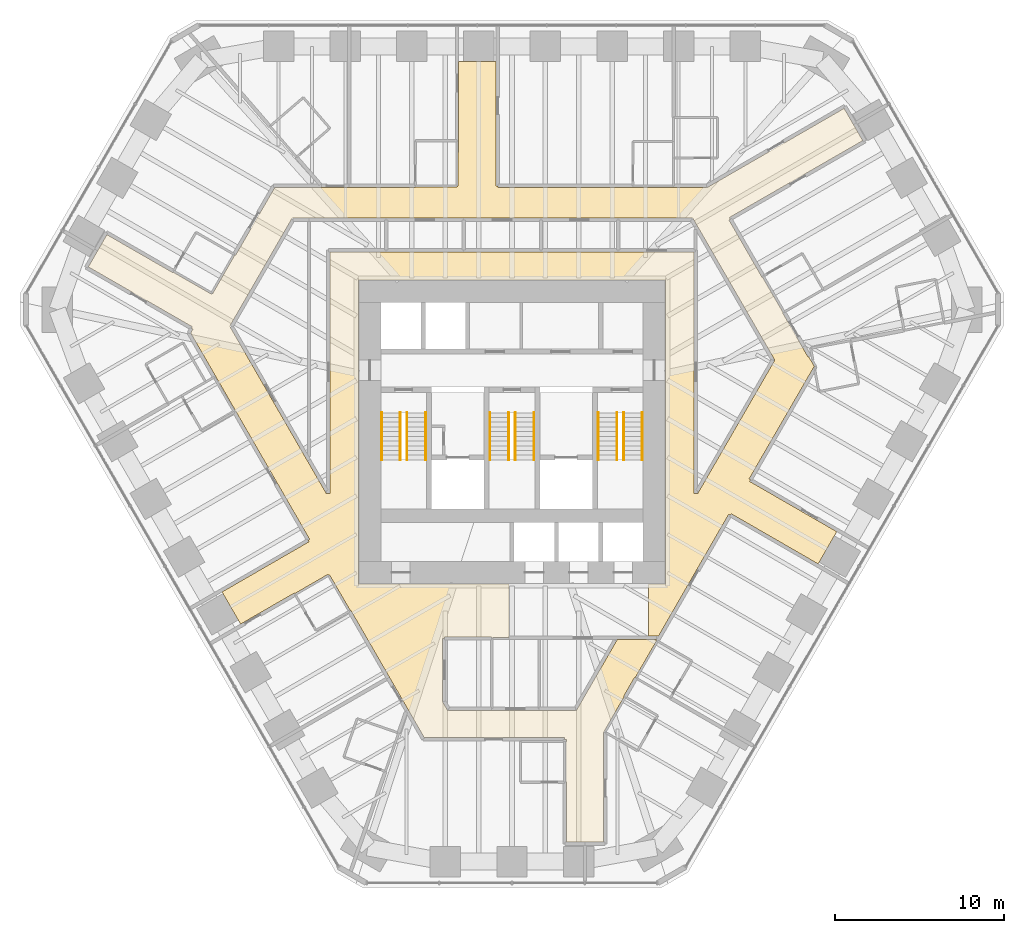
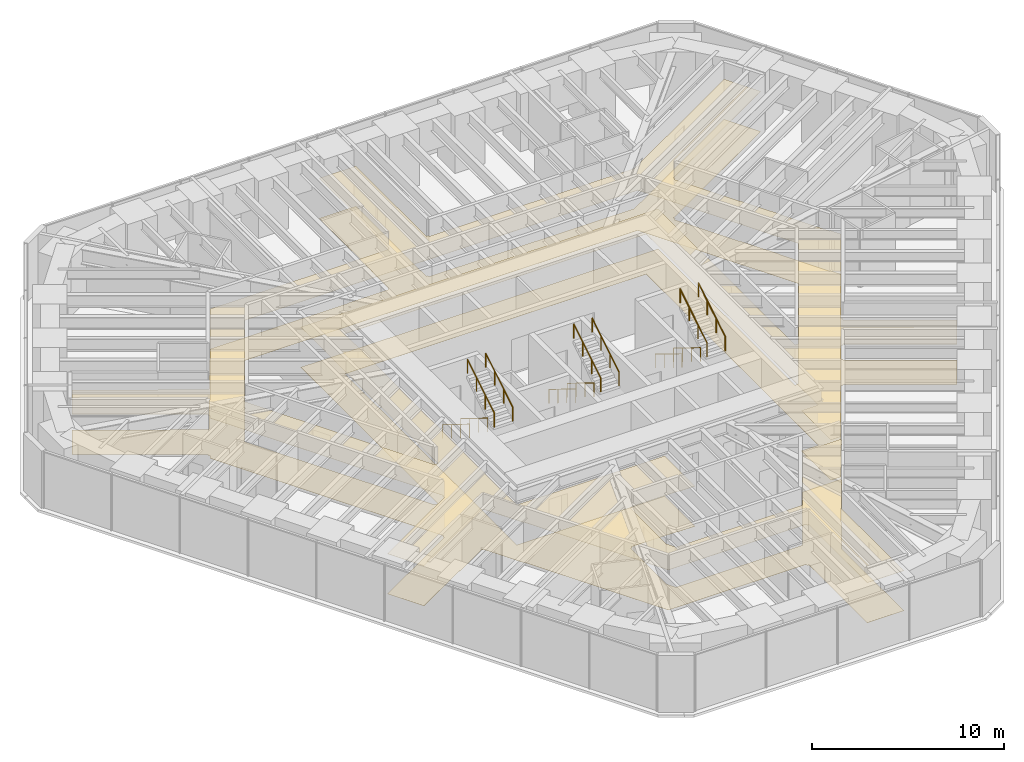
# One storey, part 17 of 17: 12 railings, 2 coverings.
"""IFC4 building model written with IfcOpenShell, lengths in metres."""

import ifcopenshell
import ifcopenshell.guid

model = None  # the IFC model being written
_history = None  # IfcOwnerHistory: only IFC2X3 demands one
_inside = {}  # id of a spatial element -> (the spatial element, [elements in it])
_under = {}  # id of a project, library or spatial element -> (it, [spatial elements below it])
_declared = {}  # id of a project -> (the project, [libraries it declares])
_typed = {}  # id of a type object -> (the type object, [elements of that type])
_made_of = {}  # id of a material, layer set ... -> (it, [elements and type objects made of it])


def new_model(schema):
    """Start an empty IFC model of exactly this schema.

    Asked for "IFC4X3", IfcOpenShell would pick the latest addendum, in which some entities
    have other attributes; the version numbers below select the first issue.
    IFC2X3 requires an IfcOwnerHistory on every rooted entity: one is made here for all.
    """
    global model, _history
    if schema == "IFC4X3":
        model = ifcopenshell.file(schema_version=(4, 3, 0, 0))
    else:
        model = ifcopenshell.file(schema=schema)
    _inside.clear()
    _under.clear()
    _declared.clear()
    _typed.clear()
    _made_of.clear()
    _history = None
    if model.schema == "IFC2X3":
        org = make("IfcOrganization", Name="unknown")
        user = make(
            "IfcPersonAndOrganization",
            ThePerson=make("IfcPerson", FamilyName="unknown"),
            TheOrganization=org,
        )
        app = make(
            "IfcApplication",
            ApplicationDeveloper=org,
            Version="unknown",
            ApplicationFullName="unknown",
            ApplicationIdentifier="unknown",
        )
        _history = make(
            "IfcOwnerHistory",
            OwningUser=user,
            OwningApplication=app,
            ChangeAction="ADDED",
            CreationDate=0,
        )
    return model


def make(cls, **values):
    """One entity of the class cls with the attributes given. An attribute that is None is left unset."""
    return model.create_entity(
        cls, **{name: value for name, value in values.items() if value is not None}
    )


def rooted(cls, **values):
    """An entity with a GlobalId (a new one), such as an element, a storey or a relation."""
    return make(cls, GlobalId=ifcopenshell.guid.new(), OwnerHistory=_history, **values)


def si_unit(unit_type, name, prefix=None):
    """IfcSIUnit, for example si_unit("LENGTHUNIT", "METRE", prefix="MILLI")."""
    return make("IfcSIUnit", UnitType=unit_type, Prefix=prefix, Name=name)


def assignment(units):
    """IfcUnitAssignment: the units of a project."""
    return None if units is None else make("IfcUnitAssignment", Units=units)


def point(xyz):
    """IfcCartesianPoint."""
    return None if xyz is None else make("IfcCartesianPoint", Coordinates=xyz)


def direction(xyz):
    """IfcDirection."""
    return None if xyz is None else make("IfcDirection", DirectionRatios=xyz)


def frame(location, z_axis=None, x_axis=None):
    """IfcAxis2Placement3D, a coordinate frame: its origin and axes. An axis left out is left unset."""
    return make(
        "IfcAxis2Placement3D",
        Location=point(location),
        Axis=direction(z_axis),
        RefDirection=direction(x_axis),
    )


def frame_2d(location, x_axis=None):
    """IfcAxis2Placement2D, a coordinate frame in the plane: its origin and x axis."""
    return make(
        "IfcAxis2Placement2D", Location=point(location), RefDirection=direction(x_axis)
    )


def origin():
    """The frame at (0, 0, 0) with its axes left unset."""
    return frame((0.0, 0.0, 0.0))


def origin_2d():
    """The frame at (0, 0) in the plane with its x axis left unset."""
    return frame_2d((0.0, 0.0))


def place(relative_to, where):
    """IfcLocalPlacement: puts the frame where relative to a parent placement (None: the world)."""
    return make(
        "IfcLocalPlacement", PlacementRelTo=relative_to, RelativePlacement=where
    )


def context(
    kind, dimensions, precision=None, world=None, true_north=None, identifier=None
):
    """IfcGeometricRepresentationContext, for example the 3D "Model" context."""
    return make(
        "IfcGeometricRepresentationContext",
        ContextIdentifier=identifier,
        ContextType=kind,
        CoordinateSpaceDimension=dimensions,
        Precision=precision,
        WorldCoordinateSystem=world,
        TrueNorth=true_north,
    )


def subcontext(parent, identifier, kind, view, scale=None):
    """IfcGeometricRepresentationSubContext, for example "Body" below "Model"."""
    return make(
        "IfcGeometricRepresentationSubContext",
        ContextIdentifier=identifier,
        ContextType=kind,
        ParentContext=parent,
        TargetScale=scale,
        TargetView=view,
    )


def project(units=None, contexts=None):
    """IfcProject with its units and contexts."""
    return rooted(
        "IfcProject",
        Name="project",
        RepresentationContexts=contexts,
        UnitsInContext=assignment(units),
    )


def spatial(cls, under=None, at=None, **own):
    """A site, building, storey or space (cls), placed at a placement, below another one or the project."""
    s = rooted(cls, ObjectPlacement=at, **own)
    if under is not None:
        _under.setdefault(under.id(), (under, []))[1].append(s)
    return s


def polyline(points):
    """IfcPolyline through the points."""
    return make("IfcPolyline", Points=[point(p) for p in points])


def profile(cls, at=None, kind="AREA", **sizes):
    """A parametric profile (cls). Its sizes go by their IFC names, for example OverallWidth=200.0."""
    return make(cls, ProfileType=kind, Position=at, **sizes)


def circle(**sizes):
    """IfcCircleProfileDef."""
    return profile("IfcCircleProfileDef", **sizes)


def outline(outer, holes=None, kind="AREA"):
    """IfcArbitraryClosedProfileDef: a profile drawn as a closed curve; with holes, ...WithVoids."""
    if holes is None:
        return make("IfcArbitraryClosedProfileDef", ProfileType=kind, OuterCurve=outer)
    return make(
        "IfcArbitraryProfileDefWithVoids",
        ProfileType=kind,
        OuterCurve=outer,
        InnerCurves=holes,
    )


def extrude(swept, where, along, depth):
    """IfcExtrudedAreaSolid: the profile swept, set in the frame where, extruded along a direction by depth."""
    return make(
        "IfcExtrudedAreaSolid",
        SweptArea=swept,
        Position=where,
        ExtrudedDirection=direction(along),
        Depth=depth,
    )


def shape(context_of_items, identifier, shape_type, items):
    """IfcShapeRepresentation: the items that make up one representation, for example the "Body"."""
    return make(
        "IfcShapeRepresentation",
        ContextOfItems=context_of_items,
        RepresentationIdentifier=identifier,
        RepresentationType=shape_type,
        Items=items,
    )


def material(Name=None, Category=None):
    """IfcMaterial."""
    return make("IfcMaterial", Name=Name, Category=Category)


def layer(
    of_material, thickness, ventilated=None, Name=None, Category=None, Priority=None
):
    """IfcMaterialLayer: one layer of a wall or slab, of a material (None: an air gap)."""
    return make(
        "IfcMaterialLayer",
        Material=of_material,
        LayerThickness=thickness,
        IsVentilated=ventilated,
        Name=Name,
        Category=Category,
        Priority=Priority,
    )


def layer_set(layers, Name=None):
    """IfcMaterialLayerSet."""
    return make("IfcMaterialLayerSet", MaterialLayers=layers, LayerSetName=Name)


def made_of(thing, what):
    """Note that an element or type object is made of a material, layer set ...; save() writes the relation."""
    if what is not None:
        _made_of.setdefault(what.id(), (what, []))[1].append(thing)
    return thing


def type_object(cls, material=None, **own):
    """A type object (cls), such as IfcWallType, which elements share."""
    return made_of(rooted(cls, **own), material)


def element(
    cls,
    number,
    at=None,
    inside=None,
    cuts=None,
    type_object=None,
    material=None,
    context=None,
    identifier="Body",
    shape_type=None,
    held_by="IfcProductDefinitionShape",
    body=None,
    shapes=None,
    **own,
):
    """One element of the class cls, such as IfcWall. Its Tag is "e" and its number.

    at: its placement. inside: the storey or other place that contains it. cuts: it is an
    opening in that element (IfcRelVoidsElement). A single representation is given by context,
    identifier, shape_type and body (its items); several are given by shapes. held_by: the class
    of the entity that holds the representations. save() writes the other relations.
    """
    e = rooted(cls, Tag="e%d" % number, ObjectPlacement=at, **own)
    if body is not None:
        shapes = [shape(context, identifier, shape_type, body)]
    if shapes is not None:
        e.Representation = make(held_by, Representations=shapes)
    if inside is not None:
        _inside.setdefault(inside.id(), (inside, []))[1].append(e)
    if cuts is not None:
        rooted(
            "IfcRelVoidsElement", RelatingBuildingElement=cuts, RelatedOpeningElement=e
        )
    if type_object is not None:
        _typed.setdefault(type_object.id(), (type_object, []))[1].append(e)
    return made_of(e, material)


def aggregate(whole, parts):
    """IfcRelAggregates: a whole, such as a stair, and the parts it consists of."""
    return rooted("IfcRelAggregates", RelatingObject=whole, RelatedObjects=parts)


def save(model, path):
    """Write the relations noted so far, then the file.

    IfcRelAggregates (storeys below a building ...), IfcRelContainedInSpatialStructure (elements
    in a storey), IfcRelDefinesByType, IfcRelAssociatesMaterial and IfcRelDeclares: one each for
    every whole, place, type object, material and project.
    """
    for whole, parts in _under.values():
        aggregate(whole, parts)
    for where, things in _inside.values():
        rooted(
            "IfcRelContainedInSpatialStructure",
            RelatedElements=things,
            RelatingStructure=where,
        )
    for kind, things in _typed.values():
        rooted("IfcRelDefinesByType", RelatedObjects=things, RelatingType=kind)
    for what, things in _made_of.values():
        rooted("IfcRelAssociatesMaterial", RelatedObjects=things, RelatingMaterial=what)
    for by, libraries in _declared.values():
        rooted("IfcRelDeclares", RelatingContext=by, RelatedDefinitions=libraries)
    model.write(path)


model = new_model("IFC4")

# Units and contexts
model_context = context("Model", 3, precision=1e-05, world=origin(), true_north=direction((0.0, 1.0)))
body_context = subcontext(model_context, "Body", "Model", "MODEL_VIEW")
ifc_project = project(units=[si_unit("LENGTHUNIT", "METRE"), si_unit("AREAUNIT", "SQUARE_METRE"), si_unit("VOLUMEUNIT", "CUBIC_METRE"), si_unit("PLANEANGLEUNIT", "RADIAN"), si_unit("MASSUNIT", "GRAM", prefix="KILO")], contexts=[model_context])

# Site, building, storey
site_placement = place(None, origin())
site = spatial("IfcSite", under=ifc_project, at=site_placement, CompositionType="ELEMENT")
building_placement = place(site_placement, origin())
building = spatial("IfcBuilding", under=site, at=building_placement, Name="Sandreach Pilgrim Tower", CompositionType="ELEMENT")
storey_placement = place(building_placement, frame((0.0, 0.0, 146.199951171875)))
storey = spatial("IfcBuildingStorey", under=building, at=storey_placement, Name="L36", CompositionType="ELEMENT", Elevation=146.199951171875)

# Coverings
ifc_material_1 = material(Name="Nylon carpet tile on the slab", Category="textile")
ifc_layer_1 = layer(ifc_material_1, 0.008056640625)
ifc_layer_set_1 = layer_set([ifc_layer_1], Name="Carpet tile")
covering_type_1 = type_object("IfcCoveringType", Name="Carpet tile", PredefinedType="FLOORING", material=ifc_layer_set_1)
covering_1_placement = place(storey_placement, origin())
element("IfcCovering", 1, at=covering_1_placement, inside=storey, type_object=covering_type_1, Name="Floor finish 36C Corridor 36", PredefinedType="FLOORING", context=body_context, shape_type="SweptSolid", body=[
    extrude(outline(polyline([(-25.033447265625, 8.206787109375), (-23.933349609375, 10.113525390625), (-20.04150390625, 7.870849609375), (-20.02880859375, 7.892578125), (-17.751708984375, 6.597412109375), (-17.72119140625, 6.649169921875), (-17.68798828125, 6.6298828125), (-16.37353515625, 8.923095703125), (-16.330322265625, 8.898193359375), (-14.022216796875, 12.889892578125), (-5.699951171875, 12.889892578125), (-5.699951171875, 12.9208984375), (-3.25, 12.929931640625), (-3.247802734375, 12.989990234375), (-3.18994140625, 12.989990234375), (-3.18994140625, 14.568115234375), (-3.14990234375, 15.659912109375), (-3.14990234375, 20.333740234375), (-0.949951171875, 20.333740234375), (-0.949951171875, 12.989990234375), (-0.840087890625, 12.989990234375), (-0.840087890625, 12.889892578125), (11.516845703125, 12.889892578125), (19.623291015625, 17.5732421875), (20.723388671875, 15.666748046875), (12.85009765625, 11.126708984375), (12.907470703125, 11.027099609375), (12.82080078125, 10.97705078125), (14.763427734375, 7.610107421875), (14.779052734375, 7.619140625), (16.013916015625, 5.501708984375), (15.991943359375, 5.489013671875), (17.48974609375, 2.88232421875), (17.52880859375, 2.904052734375), (17.8603515625, 2.335693359375), (14.010986328125, -4.31689453125), (14.097412109375, -4.366943359375), (14.0400390625, -4.466552734375), (19.1865234375, -7.435791015625), (18.085693359375, -9.342041015625), (12.952880859375, -6.380859375), (12.904541015625, -6.46484375), (12.803466796875, -6.41015625), (8.657470703125, -13.60009765625), (8.050048828125, -13.60009765625), (8.050048828125, -10.52001953125), (9.070068359375, -10.52001953125), (9.070068359375, 7.419921875), (-9.070068359375, 7.419921875), (-9.070068359375, -10.52001953125), (-0.175048828125, -10.52001953125), (-0.175048828125, -13.68994140625), (-1.199951171875, -13.67919921875), (-1.199951171875, -13.64990234375), (-3.989990234375, -13.64990234375), (-3.989990234375, -13.75), (-4.10009765625, -13.75), (-4.10009765625, -17.487060546875), (-3.8076171875, -17.989990234375), (3.8076171875, -17.989990234375), (6.2265625, -13.800048828125), (8.542236328125, -13.800048828125), (8.513427734375, -13.85009765625), (8.548095703125, -13.8701171875), (7.279541015625, -16.06103515625), (7.243408203125, -16.0400390625), (6.603271484375, -17.150146484375), (6.6376953125, -17.169677734375), (5.409912109375, -19.2900390625), (5.409912109375, -25.780029296875), (3.2099609375, -25.780029296875), (3.2099609375, -19.699951171875), (3.110107421875, -19.699951171875), (3.110107421875, -19.590087890625), (-5.192138671875, -19.590087890625), (-9.5234375, -12.090087890625), (-9.55029296875, -12.10546875), (-10.7880859375, -9.97998046875), (-10.840576171875, -10.009033203125), (-10.8701171875, -9.9580078125), (-12.840087890625, -11.09814453125), (-12.85986328125, -11.0634765625), (-16.033935546875, -12.89599609375), (-17.130615234375, -10.99658203125), (-12.0029296875, -8.0341796875), (-12.052978515625, -7.947509765625), (-11.953369140625, -7.89013671875), (-18.98486328125, 4.300048828125), (-18.858154296875, 4.521728515625), (-18.945068359375, 4.5712890625), (-18.89013671875, 4.666748046875), (-25.033447265625, 8.206787109375)]), holes=[polyline([(-10.96533203125, -5.18994140625), (-10.75, -5.18994140625), (-10.75, 9.10009765625), (10.75, 9.10009765625), (10.75, -5.18994140625), (10.965576171875, -5.18994140625), (15.525390625, 2.699951171875), (10.677734375, 11.090087890625), (-12.98779296875, 11.090087890625), (-16.675537109375, 4.699951171875), (-10.96533203125, -5.18994140625)])]), origin(), (0.0, 0.0, 1.0), 0.008056640625),
])
ifc_material_2 = material(Name="Gypsum board suspended ceiling on a steel grid", Category="steel")
ifc_layer_2 = layer(ifc_material_2, 0.012939453125)
ifc_layer_set_2 = layer_set([ifc_layer_2], Name="Gypsum board suspended ceiling")
covering_type_2 = type_object("IfcCoveringType", Name="Gypsum board suspended ceiling", PredefinedType="CEILING", material=ifc_layer_set_2)
covering_2_placement = place(storey_placement, frame((0.0, 0.0, 2.550048828125)))
element("IfcCovering", 2, at=covering_2_placement, inside=storey, type_object=covering_type_2, Name="Ceiling 36C Corridor 36", PredefinedType="CEILING", context=body_context, shape_type="SweptSolid", body=[
    extrude(outline(polyline([(-17.751708984375, 6.597412109375), (-17.72119140625, 6.649169921875), (-17.68798828125, 6.6298828125), (-16.364990234375, 8.918212890625), (-16.330322265625, 8.898193359375), (-14.022216796875, 12.889892578125), (-5.699951171875, 12.889892578125), (-5.699951171875, 12.9208984375), (-3.25, 12.929931640625), (-3.247802734375, 12.989990234375), (-3.18994140625, 12.989990234375), (-3.18994140625, 14.568115234375), (-3.14990234375, 15.659912109375), (-3.14990234375, 20.333740234375), (-0.949951171875, 20.333740234375), (-0.949951171875, 12.989990234375), (-0.840087890625, 12.989990234375), (-0.840087890625, 12.889892578125), (11.516845703125, 12.889892578125), (19.623291015625, 17.5732421875), (20.723388671875, 15.666748046875), (12.85009765625, 11.126708984375), (12.907470703125, 11.027099609375), (12.82080078125, 10.97705078125), (14.763427734375, 7.610107421875), (14.779052734375, 7.619140625), (16.013916015625, 5.501708984375), (15.991943359375, 5.489013671875), (17.48974609375, 2.88232421875), (17.52880859375, 2.904052734375), (17.8603515625, 2.335693359375), (14.010986328125, -4.31689453125), (14.097412109375, -4.366943359375), (14.0400390625, -4.466552734375), (19.1865234375, -7.435791015625), (18.085693359375, -9.342041015625), (12.952880859375, -6.380859375), (12.904541015625, -6.46484375), (12.803466796875, -6.41015625), (8.657470703125, -13.60009765625), (8.050048828125, -13.60009765625), (8.050048828125, -10.52001953125), (9.070068359375, -10.52001953125), (9.070068359375, 7.419921875), (-9.070068359375, 7.419921875), (-9.070068359375, -10.52001953125), (-0.175048828125, -10.52001953125), (-0.175048828125, -13.68994140625), (-1.199951171875, -13.67919921875), (-1.199951171875, -13.64990234375), (-3.989990234375, -13.64990234375), (-3.989990234375, -13.75), (-4.10009765625, -13.75), (-4.10009765625, -17.487060546875), (-3.8076171875, -17.989990234375), (3.8076171875, -17.989990234375), (6.2265625, -13.800048828125), (8.542236328125, -13.800048828125), (8.513427734375, -13.85009765625), (8.548095703125, -13.8701171875), (7.279541015625, -16.06103515625), (7.243408203125, -16.0400390625), (6.603271484375, -17.150146484375), (6.6376953125, -17.169677734375), (5.409912109375, -19.2900390625), (5.409912109375, -25.780029296875), (3.2099609375, -25.780029296875), (3.2099609375, -19.699951171875), (3.110107421875, -19.699951171875), (3.110107421875, -19.590087890625), (-5.192138671875, -19.590087890625), (-9.5234375, -12.090087890625), (-9.55029296875, -12.10546875), (-10.7880859375, -9.97998046875), (-10.840576171875, -10.009033203125), (-10.8701171875, -9.9580078125), (-12.840087890625, -11.09814453125), (-12.85986328125, -11.0634765625), (-16.033935546875, -12.89599609375), (-17.130615234375, -10.99658203125), (-12.0029296875, -8.0341796875), (-12.052978515625, -7.947509765625), (-11.953369140625, -7.89013671875), (-18.98486328125, 4.300048828125), (-18.858154296875, 4.521728515625), (-18.945068359375, 4.5712890625), (-18.89013671875, 4.666748046875), (-25.033447265625, 8.206787109375), (-23.933349609375, 10.113525390625), (-20.04150390625, 7.870849609375), (-20.02880859375, 7.892578125), (-17.751708984375, 6.597412109375)]), holes=[polyline([(-10.96533203125, -5.18994140625), (-10.75, -5.18994140625), (-10.75, 9.10009765625), (10.75, 9.10009765625), (10.75, -5.18994140625), (10.965576171875, -5.18994140625), (15.525390625, 2.699951171875), (10.677734375, 11.090087890625), (-12.98779296875, 11.090087890625), (-16.675537109375, 4.699951171875), (-10.96533203125, -5.18994140625)])]), origin(), (0.0, 0.0, 1.0), 0.012939453125),
])

# Railings
ifc_material_3 = material(Name="Stainless steel tube", Category="steel")
railing_type = type_object("IfcRailingType", Name="Stair handrail", PredefinedType="HANDRAIL", material=ifc_material_3)
for number, where, name in (
    (3, (-6.60009765625, -0.39990234375, 0.1728515625), "Handrail ST1 L36 flight 1"),
    (4, (-7.699951171875, -0.39990234375, 0.1728515625), "Handrail ST1 L36 flight 1"),
):
    element("IfcRailing", number, at=place(storey_placement, frame(where)), inside=storey, type_object=railing_type, Name=name, PredefinedType="HANDRAIL", context=body_context, shape_type="SweptSolid", body=[
        extrude(circle(Radius=0.02392578125, at=origin_2d()), frame((0.0, 0.0, 0.8759765625), z_axis=(0.0, -0.851089632645, 0.525020415988), x_axis=(1.0, 0.0, 0.0)), (0.0, 0.0, 1.0), 3.2900390625),
        extrude(circle(Radius=0.02099609375, at=origin_2d()), origin(), (0.0, 0.0, 1.0), 0.851806640625),
        extrude(circle(Radius=0.02099609375, at=origin_2d()), frame((0.0, -0.933349609375, 0.57568359375)), (0.0, 0.0, 1.0), 0.851806640625),
        extrude(circle(Radius=0.02099609375, at=origin_2d()), frame((0.0, -1.86669921875, 1.151611328125)), (0.0, 0.0, 1.0), 0.851806640625),
        extrude(circle(Radius=0.02099609375, at=origin_2d()), frame((0.0, -2.800048828125, 1.727294921875)), (0.0, 0.0, 1.0), 0.851806640625),
    ])
for number, where, name in (
    (5, (-6.199951171875, -3.199951171875, 2.07275390625), "Handrail ST1 L36 flight 2"),
    (6, (-5.10009765625, -3.199951171875, 2.07275390625), "Handrail ST1 L36 flight 2"),
):
    element("IfcRailing", number, at=place(storey_placement, frame(where)), inside=storey, type_object=railing_type, Name=name, PredefinedType="HANDRAIL", context=body_context, shape_type="SweptSolid", body=[
        extrude(circle(Radius=0.02392578125, at=origin_2d()), frame((0.0, 0.0, 0.8759765625), z_axis=(0.0, 0.851089632645, 0.525020415988), x_axis=(-1.0, 0.0, 0.0)), (0.0, 0.0, 1.0), 3.2900390625),
        extrude(circle(Radius=0.02099609375, at=origin_2d()), origin(), (0.0, 0.0, 1.0), 0.851806640625),
        extrude(circle(Radius=0.02099609375, at=origin_2d()), frame((0.0, 0.933349609375, 0.57568359375)), (0.0, 0.0, 1.0), 0.851806640625),
        extrude(circle(Radius=0.02099609375, at=origin_2d()), frame((0.0, 1.86669921875, 1.151611328125)), (0.0, 0.0, 1.0), 0.851806640625),
        extrude(circle(Radius=0.02099609375, at=origin_2d()), frame((0.0, 2.800048828125, 1.727294921875)), (0.0, 0.0, 1.0), 0.851806640625),
    ])
for number, where, name in (
    (7, (-0.199951171875, -0.39990234375, 0.1728515625), "Handrail ST3 L36 flight 1"),
    (8, (-1.300048828125, -0.39990234375, 0.1728515625), "Handrail ST3 L36 flight 1"),
):
    element("IfcRailing", number, at=place(storey_placement, frame(where)), inside=storey, type_object=railing_type, Name=name, PredefinedType="HANDRAIL", context=body_context, shape_type="SweptSolid", body=[
        extrude(circle(Radius=0.02392578125, at=origin_2d()), frame((0.0, 0.0, 0.8759765625), z_axis=(0.0, -0.851089632645, 0.525020415988), x_axis=(1.0, 0.0, 0.0)), (0.0, 0.0, 1.0), 3.2900390625),
        extrude(circle(Radius=0.02099609375, at=origin_2d()), origin(), (0.0, 0.0, 1.0), 0.851806640625),
        extrude(circle(Radius=0.02099609375, at=origin_2d()), frame((0.0, -0.933349609375, 0.57568359375)), (0.0, 0.0, 1.0), 0.851806640625),
        extrude(circle(Radius=0.02099609375, at=origin_2d()), frame((0.0, -1.86669921875, 1.151611328125)), (0.0, 0.0, 1.0), 0.851806640625),
        extrude(circle(Radius=0.02099609375, at=origin_2d()), frame((0.0, -2.800048828125, 1.727294921875)), (0.0, 0.0, 1.0), 0.851806640625),
    ])
for number, where, name in (
    (9, (0.199951171875, -3.199951171875, 2.07275390625), "Handrail ST3 L36 flight 2"),
    (10, (1.300048828125, -3.199951171875, 2.07275390625), "Handrail ST3 L36 flight 2"),
):
    element("IfcRailing", number, at=place(storey_placement, frame(where)), inside=storey, type_object=railing_type, Name=name, PredefinedType="HANDRAIL", context=body_context, shape_type="SweptSolid", body=[
        extrude(circle(Radius=0.02392578125, at=origin_2d()), frame((0.0, 0.0, 0.8759765625), z_axis=(0.0, 0.851089632645, 0.525020415988), x_axis=(-1.0, 0.0, 0.0)), (0.0, 0.0, 1.0), 3.2900390625),
        extrude(circle(Radius=0.02099609375, at=origin_2d()), origin(), (0.0, 0.0, 1.0), 0.851806640625),
        extrude(circle(Radius=0.02099609375, at=origin_2d()), frame((0.0, 0.933349609375, 0.57568359375)), (0.0, 0.0, 1.0), 0.851806640625),
        extrude(circle(Radius=0.02099609375, at=origin_2d()), frame((0.0, 1.86669921875, 1.151611328125)), (0.0, 0.0, 1.0), 0.851806640625),
        extrude(circle(Radius=0.02099609375, at=origin_2d()), frame((0.0, 2.800048828125, 1.727294921875)), (0.0, 0.0, 1.0), 0.851806640625),
    ])
for number, where, name in (
    (11, (6.199951171875, -0.39990234375, 0.1728515625), "Handrail ST2 L36 flight 1"),
    (12, (5.10009765625, -0.39990234375, 0.1728515625), "Handrail ST2 L36 flight 1"),
):
    element("IfcRailing", number, at=place(storey_placement, frame(where)), inside=storey, type_object=railing_type, Name=name, PredefinedType="HANDRAIL", context=body_context, shape_type="SweptSolid", body=[
        extrude(circle(Radius=0.02392578125, at=origin_2d()), frame((0.0, 0.0, 0.8759765625), z_axis=(0.0, -0.851089632645, 0.525020415988), x_axis=(1.0, 0.0, 0.0)), (0.0, 0.0, 1.0), 3.2900390625),
        extrude(circle(Radius=0.02099609375, at=origin_2d()), origin(), (0.0, 0.0, 1.0), 0.851806640625),
        extrude(circle(Radius=0.02099609375, at=origin_2d()), frame((0.0, -0.933349609375, 0.57568359375)), (0.0, 0.0, 1.0), 0.851806640625),
        extrude(circle(Radius=0.02099609375, at=origin_2d()), frame((0.0, -1.86669921875, 1.151611328125)), (0.0, 0.0, 1.0), 0.851806640625),
        extrude(circle(Radius=0.02099609375, at=origin_2d()), frame((0.0, -2.800048828125, 1.727294921875)), (0.0, 0.0, 1.0), 0.851806640625),
    ])
for number, where, name in (
    (13, (6.60009765625, -3.199951171875, 2.07275390625), "Handrail ST2 L36 flight 2"),
    (14, (7.699951171875, -3.199951171875, 2.07275390625), "Handrail ST2 L36 flight 2"),
):
    element("IfcRailing", number, at=place(storey_placement, frame(where)), inside=storey, type_object=railing_type, Name=name, PredefinedType="HANDRAIL", context=body_context, shape_type="SweptSolid", body=[
        extrude(circle(Radius=0.02392578125, at=origin_2d()), frame((0.0, 0.0, 0.8759765625), z_axis=(0.0, 0.851089632645, 0.525020415988), x_axis=(-1.0, 0.0, 0.0)), (0.0, 0.0, 1.0), 3.2900390625),
        extrude(circle(Radius=0.02099609375, at=origin_2d()), origin(), (0.0, 0.0, 1.0), 0.851806640625),
        extrude(circle(Radius=0.02099609375, at=origin_2d()), frame((0.0, 0.933349609375, 0.57568359375)), (0.0, 0.0, 1.0), 0.851806640625),
        extrude(circle(Radius=0.02099609375, at=origin_2d()), frame((0.0, 1.86669921875, 1.151611328125)), (0.0, 0.0, 1.0), 0.851806640625),
        extrude(circle(Radius=0.02099609375, at=origin_2d()), frame((0.0, 2.800048828125, 1.727294921875)), (0.0, 0.0, 1.0), 0.851806640625),
    ])

save(model, "model.ifc")
